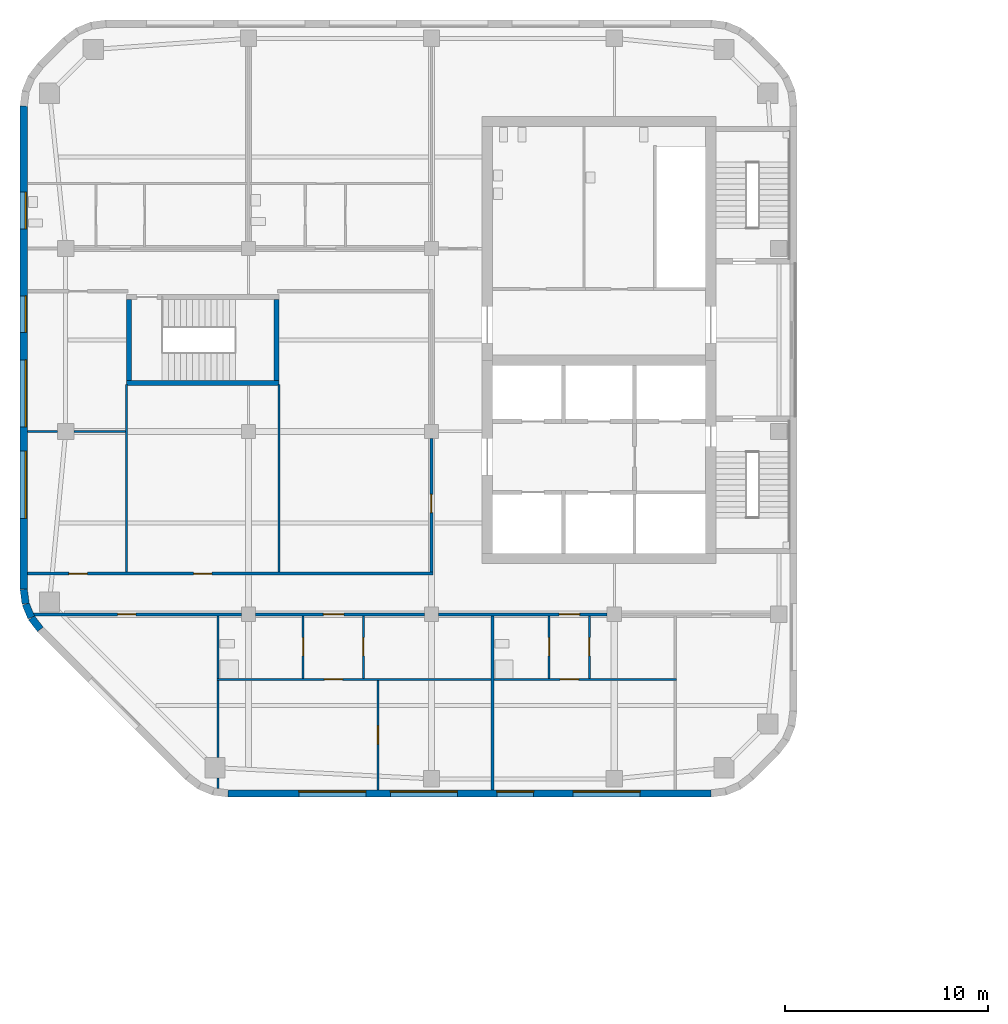
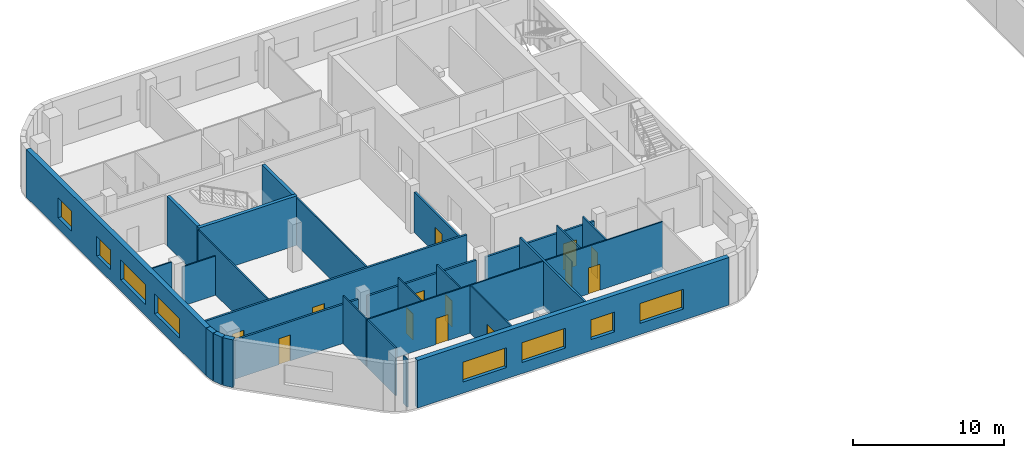
# One storey, part 5 of 15: 28 walls, 13 doors, 8 windows, 21 openings.
"""IFC4 building model written with IfcOpenShell, lengths in metres."""

import ifcopenshell
import ifcopenshell.guid

model = None  # the IFC model being written
_history = None  # IfcOwnerHistory: only IFC2X3 demands one
_inside = {}  # id of a spatial element -> (the spatial element, [elements in it])
_under = {}  # id of a project, library or spatial element -> (it, [spatial elements below it])
_declared = {}  # id of a project -> (the project, [libraries it declares])
_typed = {}  # id of a type object -> (the type object, [elements of that type])
_made_of = {}  # id of a material, layer set ... -> (it, [elements and type objects made of it])


def new_model(schema):
    """Start an empty IFC model of exactly this schema.

    Asked for "IFC4X3", IfcOpenShell would pick the latest addendum, in which some entities
    have other attributes; the version numbers below select the first issue.
    IFC2X3 requires an IfcOwnerHistory on every rooted entity: one is made here for all.
    """
    global model, _history
    if schema == "IFC4X3":
        model = ifcopenshell.file(schema_version=(4, 3, 0, 0))
    else:
        model = ifcopenshell.file(schema=schema)
    _inside.clear()
    _under.clear()
    _declared.clear()
    _typed.clear()
    _made_of.clear()
    _history = None
    if model.schema == "IFC2X3":
        org = make("IfcOrganization", Name="unknown")
        user = make(
            "IfcPersonAndOrganization",
            ThePerson=make("IfcPerson", FamilyName="unknown"),
            TheOrganization=org,
        )
        app = make(
            "IfcApplication",
            ApplicationDeveloper=org,
            Version="unknown",
            ApplicationFullName="unknown",
            ApplicationIdentifier="unknown",
        )
        _history = make(
            "IfcOwnerHistory",
            OwningUser=user,
            OwningApplication=app,
            ChangeAction="ADDED",
            CreationDate=0,
        )
    return model


def make(cls, **values):
    """One entity of the class cls with the attributes given. An attribute that is None is left unset."""
    return model.create_entity(
        cls, **{name: value for name, value in values.items() if value is not None}
    )


def rooted(cls, **values):
    """An entity with a GlobalId (a new one), such as an element, a storey or a relation."""
    return make(cls, GlobalId=ifcopenshell.guid.new(), OwnerHistory=_history, **values)


def si_unit(unit_type, name, prefix=None):
    """IfcSIUnit, for example si_unit("LENGTHUNIT", "METRE", prefix="MILLI")."""
    return make("IfcSIUnit", UnitType=unit_type, Prefix=prefix, Name=name)


def assignment(units):
    """IfcUnitAssignment: the units of a project."""
    return None if units is None else make("IfcUnitAssignment", Units=units)


def point(xyz):
    """IfcCartesianPoint."""
    return None if xyz is None else make("IfcCartesianPoint", Coordinates=xyz)


def direction(xyz):
    """IfcDirection."""
    return None if xyz is None else make("IfcDirection", DirectionRatios=xyz)


def frame(location, z_axis=None, x_axis=None):
    """IfcAxis2Placement3D, a coordinate frame: its origin and axes. An axis left out is left unset."""
    return make(
        "IfcAxis2Placement3D",
        Location=point(location),
        Axis=direction(z_axis),
        RefDirection=direction(x_axis),
    )


def frame_2d(location, x_axis=None):
    """IfcAxis2Placement2D, a coordinate frame in the plane: its origin and x axis."""
    return make(
        "IfcAxis2Placement2D", Location=point(location), RefDirection=direction(x_axis)
    )


def origin():
    """The frame at (0, 0, 0) with its axes left unset."""
    return frame((0.0, 0.0, 0.0))


def place(relative_to, where):
    """IfcLocalPlacement: puts the frame where relative to a parent placement (None: the world)."""
    return make(
        "IfcLocalPlacement", PlacementRelTo=relative_to, RelativePlacement=where
    )


def context(
    kind, dimensions, precision=None, world=None, true_north=None, identifier=None
):
    """IfcGeometricRepresentationContext, for example the 3D "Model" context."""
    return make(
        "IfcGeometricRepresentationContext",
        ContextIdentifier=identifier,
        ContextType=kind,
        CoordinateSpaceDimension=dimensions,
        Precision=precision,
        WorldCoordinateSystem=world,
        TrueNorth=true_north,
    )


def subcontext(parent, identifier, kind, view, scale=None):
    """IfcGeometricRepresentationSubContext, for example "Body" below "Model"."""
    return make(
        "IfcGeometricRepresentationSubContext",
        ContextIdentifier=identifier,
        ContextType=kind,
        ParentContext=parent,
        TargetScale=scale,
        TargetView=view,
    )


def project(units=None, contexts=None):
    """IfcProject with its units and contexts."""
    return rooted(
        "IfcProject",
        Name="project",
        RepresentationContexts=contexts,
        UnitsInContext=assignment(units),
    )


def spatial(cls, under=None, at=None, **own):
    """A site, building, storey or space (cls), placed at a placement, below another one or the project."""
    s = rooted(cls, ObjectPlacement=at, **own)
    if under is not None:
        _under.setdefault(under.id(), (under, []))[1].append(s)
    return s


def profile(cls, at=None, kind="AREA", **sizes):
    """A parametric profile (cls). Its sizes go by their IFC names, for example OverallWidth=200.0."""
    return make(cls, ProfileType=kind, Position=at, **sizes)


def rectangle(**sizes):
    """IfcRectangleProfileDef."""
    return profile("IfcRectangleProfileDef", **sizes)


def extrude(swept, where, along, depth):
    """IfcExtrudedAreaSolid: the profile swept, set in the frame where, extruded along a direction by depth."""
    return make(
        "IfcExtrudedAreaSolid",
        SweptArea=swept,
        Position=where,
        ExtrudedDirection=direction(along),
        Depth=depth,
    )


def shape(context_of_items, identifier, shape_type, items):
    """IfcShapeRepresentation: the items that make up one representation, for example the "Body"."""
    return make(
        "IfcShapeRepresentation",
        ContextOfItems=context_of_items,
        RepresentationIdentifier=identifier,
        RepresentationType=shape_type,
        Items=items,
    )


def material(Name=None, Category=None):
    """IfcMaterial."""
    return make("IfcMaterial", Name=Name, Category=Category)


def layer(
    of_material, thickness, ventilated=None, Name=None, Category=None, Priority=None
):
    """IfcMaterialLayer: one layer of a wall or slab, of a material (None: an air gap)."""
    return make(
        "IfcMaterialLayer",
        Material=of_material,
        LayerThickness=thickness,
        IsVentilated=ventilated,
        Name=Name,
        Category=Category,
        Priority=Priority,
    )


def layer_set(layers, Name=None):
    """IfcMaterialLayerSet."""
    return make("IfcMaterialLayerSet", MaterialLayers=layers, LayerSetName=Name)


def made_of(thing, what):
    """Note that an element or type object is made of a material, layer set ...; save() writes the relation."""
    if what is not None:
        _made_of.setdefault(what.id(), (what, []))[1].append(thing)
    return thing


def type_object(cls, material=None, **own):
    """A type object (cls), such as IfcWallType, which elements share."""
    return made_of(rooted(cls, **own), material)


def element(
    cls,
    number,
    at=None,
    inside=None,
    cuts=None,
    type_object=None,
    material=None,
    context=None,
    identifier="Body",
    shape_type=None,
    held_by="IfcProductDefinitionShape",
    body=None,
    shapes=None,
    **own,
):
    """One element of the class cls, such as IfcWall. Its Tag is "e" and its number.

    at: its placement. inside: the storey or other place that contains it. cuts: it is an
    opening in that element (IfcRelVoidsElement). A single representation is given by context,
    identifier, shape_type and body (its items); several are given by shapes. held_by: the class
    of the entity that holds the representations. save() writes the other relations.
    """
    e = rooted(cls, Tag="e%d" % number, ObjectPlacement=at, **own)
    if body is not None:
        shapes = [shape(context, identifier, shape_type, body)]
    if shapes is not None:
        e.Representation = make(held_by, Representations=shapes)
    if inside is not None:
        _inside.setdefault(inside.id(), (inside, []))[1].append(e)
    if cuts is not None:
        rooted(
            "IfcRelVoidsElement", RelatingBuildingElement=cuts, RelatedOpeningElement=e
        )
    if type_object is not None:
        _typed.setdefault(type_object.id(), (type_object, []))[1].append(e)
    return made_of(e, material)


def fill(opening, filler):
    """IfcRelFillsElement: the door or window that sits in an opening."""
    return rooted(
        "IfcRelFillsElement",
        RelatingOpeningElement=opening,
        RelatedBuildingElement=filler,
    )


def aggregate(whole, parts):
    """IfcRelAggregates: a whole, such as a stair, and the parts it consists of."""
    return rooted("IfcRelAggregates", RelatingObject=whole, RelatedObjects=parts)


def save(model, path):
    """Write the relations noted so far, then the file.

    IfcRelAggregates (storeys below a building ...), IfcRelContainedInSpatialStructure (elements
    in a storey), IfcRelDefinesByType, IfcRelAssociatesMaterial and IfcRelDeclares: one each for
    every whole, place, type object, material and project.
    """
    for whole, parts in _under.values():
        aggregate(whole, parts)
    for where, things in _inside.values():
        rooted(
            "IfcRelContainedInSpatialStructure",
            RelatedElements=things,
            RelatingStructure=where,
        )
    for kind, things in _typed.values():
        rooted("IfcRelDefinesByType", RelatedObjects=things, RelatingType=kind)
    for what, things in _made_of.values():
        rooted("IfcRelAssociatesMaterial", RelatedObjects=things, RelatingMaterial=what)
    for by, libraries in _declared.values():
        rooted("IfcRelDeclares", RelatingContext=by, RelatedDefinitions=libraries)
    model.write(path)


model = new_model("IFC4")

# Units and contexts
model_context = context("Model", 3, precision=1e-05, world=origin(), true_north=direction((0.0, 1.0)))
body_context = subcontext(model_context, "Body", "Model", "MODEL_VIEW")
ifc_project = project(units=[si_unit("LENGTHUNIT", "METRE"), si_unit("AREAUNIT", "SQUARE_METRE"), si_unit("VOLUMEUNIT", "CUBIC_METRE"), si_unit("PLANEANGLEUNIT", "RADIAN"), si_unit("MASSUNIT", "GRAM", prefix="KILO")], contexts=[model_context])

# Site, building, storey
site_placement = place(None, origin())
site = spatial("IfcSite", under=ifc_project, at=site_placement, CompositionType="ELEMENT")
building_placement = place(site_placement, origin())
building = spatial("IfcBuilding", under=site, at=building_placement, Name="Cinnabar Reach Civic Tower", CompositionType="ELEMENT")
storey_placement = place(building_placement, frame((0.0, 0.0, 87.0)))
storey = spatial("IfcBuildingStorey", under=building, at=storey_placement, Name="L20", CompositionType="ELEMENT", Elevation=87.0)

# Walls
ifc_material_1 = material(Name="Facing brick with insulated backing", Category="masonry")
ifc_layer_1 = layer(ifc_material_1, 0.36)
ifc_layer_set_1 = layer_set([ifc_layer_1], Name="Brick corner wall")
wall_type_1 = type_object("IfcWallType", Name="Brick corner wall", PredefinedType="STANDARD", material=ifc_layer_set_1)
for number, where, z_axis, x_axis, name in (
    (1, (-65.067, 19.2314, 0.0), (0.0, 0.0, 1.0), (0.13055608231, -0.99144092581, 0.0), "Brick corner wall"),
    (2, (-64.9681, 18.5027, 0.0), (0.0, 0.0, 1.0), (0.382702709855, -0.923871547278, 0.0), "Brick corner wall"),
):
    element("IfcWall", number, at=place(storey_placement, frame(where, z_axis=z_axis, x_axis=x_axis)), inside=storey, type_object=wall_type_1, Name=name, PredefinedType="STANDARD", context=body_context, shape_type="SweptSolid", body=[
        extrude(rectangle(XDim=0.7131, YDim=0.36, at=frame_2d((0.3565, 0.0))), origin(), (0.0, 0.0, 1.0), 3.85),
    ])
wall_1_placement = place(storey_placement, frame((-64.684, 17.8245, 0.0), z_axis=(0.0, 0.0, 1.0), x_axis=(0.608802368033, -0.793321924995, 0.0)))
element("IfcWall", 3, at=wall_1_placement, inside=storey, type_object=wall_type_1, Name="Brick corner wall", PredefinedType="STANDARD", context=body_context, shape_type="SweptSolid", body=[
    extrude(rectangle(XDim=0.7132, YDim=0.36, at=frame_2d((0.3566, 0.0))), origin(), (0.0, 0.0, 1.0), 3.85),
])

# Wall, openings, windows
ifc_layer_2 = layer(ifc_material_1, 0.36)
ifc_layer_set_2 = layer_set([ifc_layer_2], Name="Brick pier and spandrel wall")
wall_type_2 = type_object("IfcWallType", Name="Brick pier and spandrel wall", PredefinedType="STANDARD", material=ifc_layer_set_2)
wall_2_placement = place(storey_placement, frame((-55.0074, 9.18, 0.0), z_axis=(0.0, 0.0, 1.0), x_axis=(1.0, 0.0, 0.0)))
wall_2 = element("IfcWall", 4, at=wall_2_placement, inside=storey, type_object=wall_type_2, Name="Brick facade wall", PredefinedType="STANDARD", context=body_context, shape_type="SweptSolid", body=[
    extrude(rectangle(XDim=23.7648, YDim=0.36, at=frame_2d((11.8824, 0.0))), origin(), (0.0, 0.0, 1.0), 3.85),
])
opening_1_placement = place(wall_2_placement, frame((3.4824, 0.0, 0.9)))
opening_1 = element("IfcOpeningElement", 5, at=opening_1_placement, cuts=wall_2, Name="Opening W2620", PredefinedType="OPENING", context=body_context, shape_type="SweptSolid", body=[
    extrude(rectangle(XDim=3.3, YDim=1.6, at=frame_2d((1.65, 0.8))), frame((0.0, 0.19, 0.0), z_axis=(0.0, -1.0, 0.0), x_axis=(1.0, 0.0, 0.0)), (0.0, 0.0, 1.0), 0.38),
])
opening_2_placement = place(wall_2_placement, frame((7.9824, 0.0, 0.9)))
opening_2 = element("IfcOpeningElement", 6, at=opening_2_placement, cuts=wall_2, Name="Opening W2621", PredefinedType="OPENING", context=body_context, shape_type="SweptSolid", body=[
    extrude(rectangle(XDim=3.3, YDim=1.6, at=frame_2d((1.65, 0.8))), frame((0.0, 0.19, 0.0), z_axis=(0.0, -1.0, 0.0), x_axis=(1.0, 0.0, 0.0)), (0.0, 0.0, 1.0), 0.38),
])
opening_3_placement = place(wall_2_placement, frame((13.2324, 0.0, 0.9)))
opening_3 = element("IfcOpeningElement", 7, at=opening_3_placement, cuts=wall_2, Name="Opening W2622", PredefinedType="OPENING", context=body_context, shape_type="SweptSolid", body=[
    extrude(rectangle(XDim=1.8, YDim=1.6, at=frame_2d((0.9, 0.8))), frame((0.0, 0.19, 0.0), z_axis=(0.0, -1.0, 0.0), x_axis=(1.0, 0.0, 0.0)), (0.0, 0.0, 1.0), 0.38),
])
opening_4_placement = place(wall_2_placement, frame((16.9824, 0.0, 0.9)))
opening_4 = element("IfcOpeningElement", 8, at=opening_4_placement, cuts=wall_2, Name="Opening W2623", PredefinedType="OPENING", context=body_context, shape_type="SweptSolid", body=[
    extrude(rectangle(XDim=3.3, YDim=1.6, at=frame_2d((1.65, 0.8))), frame((0.0, 0.19, 0.0), z_axis=(0.0, -1.0, 0.0), x_axis=(1.0, 0.0, 0.0)), (0.0, 0.0, 1.0), 0.38),
])
ifc_material_2 = material(Name="Clear double glazing in aluminium frame", Category="aluminium")
window_type_1 = type_object("IfcWindowType", Name="Deep-set window A", PartitioningType="SINGLE_PANEL", PredefinedType="WINDOW", material=ifc_material_2)
window_1_placement = place(opening_1_placement, origin())
window_1 = element("IfcWindow", 9, at=window_1_placement, inside=storey, type_object=window_type_1, Name="Window south face", OverallHeight=1.6, OverallWidth=3.3, PartitioningType="SINGLE_PANEL", PredefinedType="WINDOW", context=body_context, shape_type="SweptSolid", body=[
    extrude(rectangle(XDim=3.3, YDim=1.6, at=frame_2d((1.65, 0.8))), frame((0.0, 0.13, 0.0), z_axis=(0.0, -1.0, 0.0), x_axis=(1.0, 0.0, 0.0)), (0.0, 0.0, 1.0), 0.06),
])
fill(opening_1, window_1)
window_2_placement = place(opening_2_placement, origin())
window_2 = element("IfcWindow", 10, at=window_2_placement, inside=storey, type_object=window_type_1, Name="Window south face", OverallHeight=1.6, OverallWidth=3.3, PartitioningType="SINGLE_PANEL", PredefinedType="WINDOW", context=body_context, shape_type="SweptSolid", body=[
    extrude(rectangle(XDim=3.3, YDim=1.6, at=frame_2d((1.65, 0.8))), frame((0.0, 0.13, 0.0), z_axis=(0.0, -1.0, 0.0), x_axis=(1.0, 0.0, 0.0)), (0.0, 0.0, 1.0), 0.06),
])
fill(opening_2, window_2)
window_3_placement = place(opening_4_placement, origin())
window_3 = element("IfcWindow", 11, at=window_3_placement, inside=storey, type_object=window_type_1, Name="Window south face", OverallHeight=1.6, OverallWidth=3.3, PartitioningType="SINGLE_PANEL", PredefinedType="WINDOW", context=body_context, shape_type="SweptSolid", body=[
    extrude(rectangle(XDim=3.3, YDim=1.6, at=frame_2d((1.65, 0.8))), frame((0.0, 0.13, 0.0), z_axis=(0.0, -1.0, 0.0), x_axis=(1.0, 0.0, 0.0)), (0.0, 0.0, 1.0), 0.06),
])
fill(opening_4, window_3)
window_type_2 = type_object("IfcWindowType", Name="Deep-set window D", PartitioningType="SINGLE_PANEL", PredefinedType="WINDOW", material=ifc_material_2)
window_4_placement = place(opening_3_placement, origin())
window_4 = element("IfcWindow", 12, at=window_4_placement, inside=storey, type_object=window_type_2, Name="Window south face", OverallHeight=1.6, OverallWidth=1.8, PartitioningType="SINGLE_PANEL", PredefinedType="WINDOW", context=body_context, shape_type="SweptSolid", body=[
    extrude(rectangle(XDim=1.8, YDim=1.6, at=frame_2d((0.9, 0.8))), frame((0.0, 0.13, 0.0), z_axis=(0.0, -1.0, 0.0), x_axis=(1.0, 0.0, 0.0)), (0.0, 0.0, 1.0), 0.06),
])
fill(opening_3, window_4)

wall_3_placement = place(storey_placement, frame((-65.07, 43.0074, 0.0), z_axis=(0.0, 0.0, 1.0), x_axis=(0.0, -1.0, 0.0)))
wall_3 = element("IfcWall", 13, at=wall_3_placement, inside=storey, type_object=wall_type_2, Name="Brick facade wall", PredefinedType="STANDARD", context=body_context, shape_type="SweptSolid", body=[
    extrude(rectangle(XDim=23.7648, YDim=0.36, at=frame_2d((11.8824, 0.0))), origin(), (0.0, 0.0, 1.0), 3.85),
])
opening_5_placement = place(wall_3_placement, frame((4.2324, 0.0, 0.9)))
opening_5 = element("IfcOpeningElement", 14, at=opening_5_placement, cuts=wall_3, Name="Opening W2632", PredefinedType="OPENING", context=body_context, shape_type="SweptSolid", body=[
    extrude(rectangle(XDim=1.8, YDim=1.6, at=frame_2d((0.9, 0.8))), frame((0.0, 0.19, 0.0), z_axis=(0.0, -1.0, 0.0), x_axis=(1.0, 0.0, 0.0)), (0.0, 0.0, 1.0), 0.38),
])
opening_6_placement = place(wall_3_placement, frame((9.3324, 0.0, 0.9)))
opening_6 = element("IfcOpeningElement", 15, at=opening_6_placement, cuts=wall_3, Name="Opening W2633", PredefinedType="OPENING", context=body_context, shape_type="SweptSolid", body=[
    extrude(rectangle(XDim=1.8, YDim=1.6, at=frame_2d((0.9, 0.8))), frame((0.0, 0.19, 0.0), z_axis=(0.0, -1.0, 0.0), x_axis=(1.0, 0.0, 0.0)), (0.0, 0.0, 1.0), 0.38),
])
opening_7_placement = place(wall_3_placement, frame((12.4824, 0.0, 0.9)))
opening_7 = element("IfcOpeningElement", 16, at=opening_7_placement, cuts=wall_3, Name="Opening W2634", PredefinedType="OPENING", context=body_context, shape_type="SweptSolid", body=[
    extrude(rectangle(XDim=3.3, YDim=1.6, at=frame_2d((1.65, 0.8))), frame((0.0, 0.19, 0.0), z_axis=(0.0, -1.0, 0.0), x_axis=(1.0, 0.0, 0.0)), (0.0, 0.0, 1.0), 0.38),
])
opening_8_placement = place(wall_3_placement, frame((16.9824, 0.0, 0.9)))
opening_8 = element("IfcOpeningElement", 17, at=opening_8_placement, cuts=wall_3, Name="Opening W2635", PredefinedType="OPENING", context=body_context, shape_type="SweptSolid", body=[
    extrude(rectangle(XDim=3.3, YDim=1.6, at=frame_2d((1.65, 0.8))), frame((0.0, 0.19, 0.0), z_axis=(0.0, -1.0, 0.0), x_axis=(1.0, 0.0, 0.0)), (0.0, 0.0, 1.0), 0.38),
])
window_5_placement = place(opening_7_placement, origin())
window_5 = element("IfcWindow", 18, at=window_5_placement, inside=storey, type_object=window_type_1, Name="Window west face", OverallHeight=1.6, OverallWidth=3.3, PartitioningType="SINGLE_PANEL", PredefinedType="WINDOW", context=body_context, shape_type="SweptSolid", body=[
    extrude(rectangle(XDim=3.3, YDim=1.6, at=frame_2d((1.65, 0.8))), frame((0.0, 0.13, 0.0), z_axis=(0.0, -1.0, 0.0), x_axis=(1.0, 0.0, 0.0)), (0.0, 0.0, 1.0), 0.06),
])
fill(opening_7, window_5)
window_6_placement = place(opening_8_placement, origin())
window_6 = element("IfcWindow", 19, at=window_6_placement, inside=storey, type_object=window_type_1, Name="Window west face", OverallHeight=1.6, OverallWidth=3.3, PartitioningType="SINGLE_PANEL", PredefinedType="WINDOW", context=body_context, shape_type="SweptSolid", body=[
    extrude(rectangle(XDim=3.3, YDim=1.6, at=frame_2d((1.65, 0.8))), frame((0.0, 0.13, 0.0), z_axis=(0.0, -1.0, 0.0), x_axis=(1.0, 0.0, 0.0)), (0.0, 0.0, 1.0), 0.06),
])
fill(opening_8, window_6)
window_7_placement = place(opening_5_placement, origin())
window_7 = element("IfcWindow", 20, at=window_7_placement, inside=storey, type_object=window_type_2, Name="Window west face", OverallHeight=1.6, OverallWidth=1.8, PartitioningType="SINGLE_PANEL", PredefinedType="WINDOW", context=body_context, shape_type="SweptSolid", body=[
    extrude(rectangle(XDim=1.8, YDim=1.6, at=frame_2d((0.9, 0.8))), frame((0.0, 0.13, 0.0), z_axis=(0.0, -1.0, 0.0), x_axis=(1.0, 0.0, 0.0)), (0.0, 0.0, 1.0), 0.06),
])
fill(opening_5, window_7)
window_8_placement = place(opening_6_placement, origin())
window_8 = element("IfcWindow", 21, at=window_8_placement, inside=storey, type_object=window_type_2, Name="Window west face", OverallHeight=1.6, OverallWidth=1.8, PartitioningType="SINGLE_PANEL", PredefinedType="WINDOW", context=body_context, shape_type="SweptSolid", body=[
    extrude(rectangle(XDim=1.8, YDim=1.6, at=frame_2d((0.9, 0.8))), frame((0.0, 0.13, 0.0), z_axis=(0.0, -1.0, 0.0), x_axis=(1.0, 0.0, 0.0)), (0.0, 0.0, 1.0), 0.06),
])
fill(opening_6, window_8)

# Wall, opening, door
ifc_material_3 = material(Name="Gypsum board on steel studs, double layer", Category="steel")
ifc_layer_3 = layer(ifc_material_3, 0.15)
ifc_layer_set_3 = layer_set([ifc_layer_3], Name="Corridor wall 150 T2")
wall_type_3 = type_object("IfcWallType", Name="Corridor wall 150 T2", PredefinedType="PARTITIONING", material=ifc_layer_set_3)
wall_4_placement = place(storey_placement, frame((-44.65, 18.0, 0.0), z_axis=(0.0, 0.0, 1.0), x_axis=(1.0, 0.0, 0.0)))
wall_4 = element("IfcWall", 22, at=wall_4_placement, inside=storey, type_object=wall_type_3, Name="Corridor wall 2", PredefinedType="PARTITIONING", context=body_context, shape_type="SweptSolid", body=[
    extrude(rectangle(XDim=8.3, YDim=0.15, at=frame_2d((4.15, 0.0))), origin(), (0.0, 0.0, 1.0), 3.158),
])
opening_9_placement = place(wall_4_placement, frame((5.94, 0.0, 0.0)))
opening_9 = element("IfcOpeningElement", 23, at=opening_9_placement, cuts=wall_4, Name="Opening D6772", PredefinedType="OPENING", context=body_context, shape_type="SweptSolid", body=[
    extrude(rectangle(XDim=1.0, YDim=2.1, at=frame_2d((0.5, 1.05))), frame((0.0, 0.085, 0.0), z_axis=(0.0, -1.0, 0.0), x_axis=(1.0, 0.0, 0.0)), (0.0, 0.0, 1.0), 0.17),
])
ifc_material_4 = material(Name="Timber door leaf in steel frame", Category="steel")
door_type_1 = type_object("IfcDoorType", Name="Tenancy entrance door 1000 x 2100 T2", OperationType="SINGLE_SWING_LEFT", PredefinedType="DOOR", material=ifc_material_4)
door_1_placement = place(opening_9_placement, frame((1.0, 0.0, 0.0), z_axis=(0.0, 0.0, 1.0), x_axis=(-1.0, 0.0, 0.0)))
door_1 = element("IfcDoor", 24, at=door_1_placement, inside=storey, type_object=door_type_1, Name="Door D6772", OperationType="SINGLE_SWING_RIGHT", OverallHeight=2.1, OverallWidth=1.0, PredefinedType="DOOR", context=body_context, shape_type="SweptSolid", body=[
    extrude(rectangle(XDim=1.0, YDim=2.1, at=frame_2d((0.5, 1.05))), frame((0.0, 0.025, 0.0), z_axis=(0.0, -1.0, 0.0), x_axis=(1.0, 0.0, 0.0)), (0.0, 0.0, 1.0), 0.05),
])
fill(opening_9, door_1)

wall_5_placement = place(storey_placement, frame((-53.65, 18.0, 0.0), z_axis=(0.0, 0.0, 1.0), x_axis=(1.0, 0.0, 0.0)))
wall_5 = element("IfcWall", 25, at=wall_5_placement, inside=storey, type_object=wall_type_3, Name="Corridor wall 3", PredefinedType="PARTITIONING", context=body_context, shape_type="SweptSolid", body=[
    extrude(rectangle(XDim=8.3, YDim=0.15, at=frame_2d((4.15, 0.0))), origin(), (0.0, 0.0, 1.0), 3.158),
])
opening_10_placement = place(wall_5_placement, frame((3.335, 0.0, 0.0)))
opening_10 = element("IfcOpeningElement", 26, at=opening_10_placement, cuts=wall_5, Name="Opening D6768", PredefinedType="OPENING", context=body_context, shape_type="SweptSolid", body=[
    extrude(rectangle(XDim=1.0, YDim=2.1, at=frame_2d((0.5, 1.05))), frame((0.0, 0.085, 0.0), z_axis=(0.0, -1.0, 0.0), x_axis=(1.0, 0.0, 0.0)), (0.0, 0.0, 1.0), 0.17),
])
door_2_placement = place(opening_10_placement, frame((1.0, 0.0, 0.0), z_axis=(0.0, 0.0, 1.0), x_axis=(-1.0, 0.0, 0.0)))
door_2 = element("IfcDoor", 27, at=door_2_placement, inside=storey, type_object=door_type_1, Name="Door D6768", OperationType="SINGLE_SWING_LEFT", OverallHeight=2.1, OverallWidth=1.0, PredefinedType="DOOR", context=body_context, shape_type="SweptSolid", body=[
    extrude(rectangle(XDim=1.0, YDim=2.1, at=frame_2d((0.5, 1.05))), frame((0.0, 0.025, 0.0), z_axis=(0.0, -1.0, 0.0), x_axis=(1.0, 0.0, 0.0)), (0.0, 0.0, 1.0), 0.05),
])
fill(opening_10, door_2)

wall_6_placement = place(storey_placement, frame((-64.5961, 18.0, 0.0), z_axis=(0.0, 0.0, 1.0), x_axis=(1.0, 0.0, 0.0)))
wall_6 = element("IfcWall", 28, at=wall_6_placement, inside=storey, type_object=wall_type_3, Name="Corridor wall 4", PredefinedType="PARTITIONING", context=body_context, shape_type="SweptSolid", body=[
    extrude(rectangle(XDim=10.2461, YDim=0.15, at=frame_2d((5.1231, 0.0))), origin(), (0.0, 0.0, 1.0), 3.158),
])
opening_11_placement = place(wall_6_placement, frame((4.15, 0.0, 0.0)))
opening_11 = element("IfcOpeningElement", 29, at=opening_11_placement, cuts=wall_6, Name="Opening D6763", PredefinedType="OPENING", context=body_context, shape_type="SweptSolid", body=[
    extrude(rectangle(XDim=0.9, YDim=2.1, at=frame_2d((0.45, 1.05))), frame((0.0, 0.085, 0.0), z_axis=(0.0, -1.0, 0.0), x_axis=(1.0, 0.0, 0.0)), (0.0, 0.0, 1.0), 0.17),
])
door_type_2 = type_object("IfcDoorType", Name="Single swing door 900 x 2100 T2", OperationType="SINGLE_SWING_LEFT", PredefinedType="DOOR", material=ifc_material_4)
door_3_placement = place(opening_11_placement, frame((0.9, 0.0, 0.0), z_axis=(0.0, 0.0, 1.0), x_axis=(-1.0, 0.0, 0.0)))
door_3 = element("IfcDoor", 30, at=door_3_placement, inside=storey, type_object=door_type_2, Name="Door D6763", OperationType="SINGLE_SWING_LEFT", OverallHeight=2.1, OverallWidth=0.9, PredefinedType="DOOR", context=body_context, shape_type="SweptSolid", body=[
    extrude(rectangle(XDim=0.9, YDim=2.1, at=frame_2d((0.45, 1.05))), frame((0.0, 0.025, 0.0), z_axis=(0.0, -1.0, 0.0), x_axis=(1.0, 0.0, 0.0)), (0.0, 0.0, 1.0), 0.05),
])
fill(opening_11, door_3)

# Wall, openings, doors
wall_7_placement = place(storey_placement, frame((-64.89, 20.0, 0.0), z_axis=(0.0, 0.0, 1.0), x_axis=(1.0, 0.0, 0.0)))
wall_7 = element("IfcWall", 31, at=wall_7_placement, inside=storey, type_object=wall_type_3, Name="Corridor wall 9", PredefinedType="PARTITIONING", context=body_context, shape_type="SweptSolid", body=[
    extrude(rectangle(XDim=19.965, YDim=0.15, at=frame_2d((9.9825, 0.0))), origin(), (0.0, 0.0, 1.0), 3.85),
])
opening_12_placement = place(wall_7_placement, frame((2.05, 0.0, 0.0)))
opening_12 = element("IfcOpeningElement", 32, at=opening_12_placement, cuts=wall_7, Name="Opening D6782", PredefinedType="OPENING", context=body_context, shape_type="SweptSolid", body=[
    extrude(rectangle(XDim=0.9, YDim=2.1, at=frame_2d((0.45, 1.05))), frame((0.0, 0.085, 0.0), z_axis=(0.0, -1.0, 0.0), x_axis=(1.0, 0.0, 0.0)), (0.0, 0.0, 1.0), 0.17),
])
opening_13_placement = place(wall_7_placement, frame((8.19, 0.0, 0.0)))
opening_13 = element("IfcOpeningElement", 33, at=opening_13_placement, cuts=wall_7, Name="Opening D6784", PredefinedType="OPENING", context=body_context, shape_type="SweptSolid", body=[
    extrude(rectangle(XDim=0.9, YDim=2.1, at=frame_2d((0.45, 1.05))), frame((0.0, 0.085, 0.0), z_axis=(0.0, -1.0, 0.0), x_axis=(1.0, 0.0, 0.0)), (0.0, 0.0, 1.0), 0.17),
])
door_4_placement = place(opening_12_placement, origin())
door_4 = element("IfcDoor", 34, at=door_4_placement, inside=storey, type_object=door_type_2, Name="Door D6782", OperationType="SINGLE_SWING_RIGHT", OverallHeight=2.1, OverallWidth=0.9, PredefinedType="DOOR", context=body_context, shape_type="SweptSolid", body=[
    extrude(rectangle(XDim=0.9, YDim=2.1, at=frame_2d((0.45, 1.05))), frame((0.0, 0.025, 0.0), z_axis=(0.0, -1.0, 0.0), x_axis=(1.0, 0.0, 0.0)), (0.0, 0.0, 1.0), 0.05),
])
fill(opening_12, door_4)
door_5_placement = place(opening_13_placement, origin())
door_5 = element("IfcDoor", 35, at=door_5_placement, inside=storey, type_object=door_type_2, Name="Door D6784", OperationType="SINGLE_SWING_LEFT", OverallHeight=2.1, OverallWidth=0.9, PredefinedType="DOOR", context=body_context, shape_type="SweptSolid", body=[
    extrude(rectangle(XDim=0.9, YDim=2.1, at=frame_2d((0.45, 1.05))), frame((0.0, 0.025, 0.0), z_axis=(0.0, -1.0, 0.0), x_axis=(1.0, 0.0, 0.0)), (0.0, 0.0, 1.0), 0.05),
])
fill(opening_13, door_5)

# Wall, opening, door
wall_8_placement = place(storey_placement, frame((-45.0, 20.075, 0.0), z_axis=(0.0, 0.0, 1.0), x_axis=(0.0, 1.0, 0.0)))
wall_8 = element("IfcWall", 36, at=wall_8_placement, inside=storey, type_object=wall_type_3, Name="Corridor wall 10", PredefinedType="PARTITIONING", context=body_context, shape_type="SweptSolid", body=[
    extrude(rectangle(XDim=6.575, YDim=0.15, at=frame_2d((3.2875, 0.0))), origin(), (0.0, 0.0, 1.0), 3.256),
])
opening_14_placement = place(wall_8_placement, frame((2.925, 0.0, 0.0)))
opening_14 = element("IfcOpeningElement", 37, at=opening_14_placement, cuts=wall_8, Name="Opening D6785", PredefinedType="OPENING", context=body_context, shape_type="SweptSolid", body=[
    extrude(rectangle(XDim=0.9, YDim=2.1, at=frame_2d((0.45, 1.05))), frame((0.0, 0.085, 0.0), z_axis=(0.0, -1.0, 0.0), x_axis=(1.0, 0.0, 0.0)), (0.0, 0.0, 1.0), 0.17),
])
door_6_placement = place(opening_14_placement, origin())
door_6 = element("IfcDoor", 38, at=door_6_placement, inside=storey, type_object=door_type_2, Name="Door D6785", OperationType="SINGLE_SWING_LEFT", OverallHeight=2.1, OverallWidth=0.9, PredefinedType="DOOR", context=body_context, shape_type="SweptSolid", body=[
    extrude(rectangle(XDim=0.9, YDim=2.1, at=frame_2d((0.45, 1.05))), frame((0.0, 0.025, 0.0), z_axis=(0.0, -1.0, 0.0), x_axis=(1.0, 0.0, 0.0)), (0.0, 0.0, 1.0), 0.05),
])
fill(opening_14, door_6)

ifc_material_5 = material(Name="Gypsum board on steel studs", Category="steel")
ifc_layer_4 = layer(ifc_material_5, 0.1)
ifc_layer_set_4 = layer_set([ifc_layer_4], Name="Partition wall 100 T2")
wall_type_4 = type_object("IfcWallType", Name="Partition wall 100 T2", PredefinedType="PARTITIONING", material=ifc_layer_set_4)
wall_9_placement = place(storey_placement, frame((-55.55, 14.8, 0.0), z_axis=(0.0, 0.0, 1.0), x_axis=(1.0, 0.0, 0.0)))
wall_9 = element("IfcWall", 39, at=wall_9_placement, inside=storey, type_object=wall_type_4, Name="Partition wall 16", PredefinedType="PARTITIONING", context=body_context, shape_type="SweptSolid", body=[
    extrude(rectangle(XDim=13.475, YDim=0.1, at=frame_2d((6.7375, 0.0))), origin(), (0.0, 0.0, 1.0), 3.85),
])
opening_15_placement = place(wall_9_placement, frame((5.285, 0.0, 0.0)))
opening_15 = element("IfcOpeningElement", 40, at=opening_15_placement, cuts=wall_9, Name="Opening D6766", PredefinedType="OPENING", context=body_context, shape_type="SweptSolid", body=[
    extrude(rectangle(XDim=0.9, YDim=2.1, at=frame_2d((0.45, 1.05))), frame((0.0, 0.06, 0.0), z_axis=(0.0, -1.0, 0.0), x_axis=(1.0, 0.0, 0.0)), (0.0, 0.0, 1.0), 0.12),
])
door_7_placement = place(opening_15_placement, origin())
door_7 = element("IfcDoor", 41, at=door_7_placement, inside=storey, type_object=door_type_2, Name="Door D6766", OperationType="SINGLE_SWING_LEFT", OverallHeight=2.1, OverallWidth=0.9, PredefinedType="DOOR", context=body_context, shape_type="SweptSolid", body=[
    extrude(rectangle(XDim=0.9, YDim=2.1, at=frame_2d((0.45, 1.05))), frame((0.0, 0.025, 0.0), z_axis=(0.0, -1.0, 0.0), x_axis=(1.0, 0.0, 0.0)), (0.0, 0.0, 1.0), 0.05),
])
fill(opening_15, door_7)

wall_10_placement = place(storey_placement, frame((-41.925, 14.8, 0.0), z_axis=(0.0, 0.0, 1.0), x_axis=(1.0, 0.0, 0.0)))
wall_10 = element("IfcWall", 42, at=wall_10_placement, inside=storey, type_object=wall_type_4, Name="Partition wall 17", PredefinedType="PARTITIONING", context=body_context, shape_type="SweptSolid", body=[
    extrude(rectangle(XDim=8.975, YDim=0.1, at=frame_2d((4.4875, 0.0))), origin(), (0.0, 0.0, 1.0), 3.85),
])
opening_16_placement = place(wall_10_placement, frame((3.265, 0.0, 0.0)))
opening_16 = element("IfcOpeningElement", 43, at=opening_16_placement, cuts=wall_10, Name="Opening D6771", PredefinedType="OPENING", context=body_context, shape_type="SweptSolid", body=[
    extrude(rectangle(XDim=0.9, YDim=2.1, at=frame_2d((0.45, 1.05))), frame((0.0, 0.06, 0.0), z_axis=(0.0, -1.0, 0.0), x_axis=(1.0, 0.0, 0.0)), (0.0, 0.0, 1.0), 0.12),
])
door_8_placement = place(opening_16_placement, origin())
door_8 = element("IfcDoor", 44, at=door_8_placement, inside=storey, type_object=door_type_2, Name="Door D6771", OperationType="SINGLE_SWING_RIGHT", OverallHeight=2.1, OverallWidth=0.9, PredefinedType="DOOR", context=body_context, shape_type="SweptSolid", body=[
    extrude(rectangle(XDim=0.9, YDim=2.1, at=frame_2d((0.45, 1.05))), frame((0.0, 0.025, 0.0), z_axis=(0.0, -1.0, 0.0), x_axis=(1.0, 0.0, 0.0)), (0.0, 0.0, 1.0), 0.05),
])
fill(opening_16, door_8)

# Walls
for number, where, z_axis, x_axis, name in (
    (45, (-60.0, 20.075, 0.0), (0.0, 0.0, 1.0), (0.0, 1.0, 0.0), "Partition wall 22"),
    (46, (-52.5, 20.075, 0.0), (0.0, 0.0, 1.0), (0.0, 1.0, 0.0), "Partition wall 23"),
):
    element("IfcWall", number, at=place(storey_placement, frame(where, z_axis=z_axis, x_axis=x_axis)), inside=storey, type_object=wall_type_4, Name=name, PredefinedType="PARTITIONING", context=body_context, shape_type="SweptSolid", body=[
        extrude(rectangle(XDim=9.225, YDim=0.1, at=frame_2d((4.6125, 0.0))), origin(), (0.0, 0.0, 1.0), 3.85),
    ])
wall_11_placement = place(storey_placement, frame((-55.5, 14.85, 0.0), z_axis=(0.0, 0.0, 1.0), x_axis=(0.0, 1.0, 0.0)))
element("IfcWall", 47, at=wall_11_placement, inside=storey, type_object=wall_type_4, Name="Partition wall 26", PredefinedType="PARTITIONING", context=body_context, shape_type="SweptSolid", body=[
    extrude(rectangle(XDim=3.075, YDim=0.1, at=frame_2d((1.5375, 0.0))), origin(), (0.0, 0.0, 1.0), 3.85),
])
wall_12_placement = place(storey_placement, frame((-55.5, 10.9531, 0.0), z_axis=(0.0, 0.0, 1.0), x_axis=(0.0, 1.0, 0.0)))
element("IfcWall", 48, at=wall_12_placement, inside=storey, type_object=wall_type_4, Name="Partition wall 27", PredefinedType="PARTITIONING", context=body_context, shape_type="SweptSolid", body=[
    extrude(rectangle(XDim=3.7969, YDim=0.1, at=frame_2d((1.8984, 0.0))), origin(), (0.0, 0.0, 1.0), 3.85),
])
wall_13_placement = place(storey_placement, frame((-55.5, 9.428, 0.0), z_axis=(0.0, 0.0, 1.0), x_axis=(0.0, 1.0, 0.0)))
element("IfcWall", 49, at=wall_13_placement, inside=storey, type_object=wall_type_4, Name="Partition wall 28", PredefinedType="PARTITIONING", context=body_context, shape_type="SweptSolid", body=[
    extrude(rectangle(XDim=0.5251, YDim=0.1, at=frame_2d((0.2626, 0.0))), origin(), (0.0, 0.0, 1.0), 3.85),
])

# Wall, opening, door
wall_14_placement = place(storey_placement, frame((-47.63, 9.36, 0.0), z_axis=(0.0, 0.0, 1.0), x_axis=(0.0, 1.0, 0.0)))
wall_14 = element("IfcWall", 50, at=wall_14_placement, inside=storey, type_object=wall_type_4, Name="Partition wall 29", PredefinedType="PARTITIONING", context=body_context, shape_type="SweptSolid", body=[
    extrude(rectangle(XDim=5.39, YDim=0.1, at=frame_2d((2.695, 0.0))), origin(), (0.0, 0.0, 1.0), 3.85),
])
opening_17_placement = place(wall_14_placement, frame((2.25, 0.0, 0.0)))
opening_17 = element("IfcOpeningElement", 51, at=opening_17_placement, cuts=wall_14, Name="Opening D6767", PredefinedType="OPENING", context=body_context, shape_type="SweptSolid", body=[
    extrude(rectangle(XDim=0.9, YDim=2.1, at=frame_2d((0.45, 1.05))), frame((0.0, 0.06, 0.0), z_axis=(0.0, -1.0, 0.0), x_axis=(1.0, 0.0, 0.0)), (0.0, 0.0, 1.0), 0.12),
])
door_9_placement = place(opening_17_placement, frame((0.9, 0.0, 0.0), z_axis=(0.0, 0.0, 1.0), x_axis=(-1.0, 0.0, 0.0)))
door_9 = element("IfcDoor", 52, at=door_9_placement, inside=storey, type_object=door_type_2, Name="Door D6767", OperationType="SINGLE_SWING_RIGHT", OverallHeight=2.1, OverallWidth=0.9, PredefinedType="DOOR", context=body_context, shape_type="SweptSolid", body=[
    extrude(rectangle(XDim=0.9, YDim=2.1, at=frame_2d((0.45, 1.05))), frame((0.0, 0.025, 0.0), z_axis=(0.0, -1.0, 0.0), x_axis=(1.0, 0.0, 0.0)), (0.0, 0.0, 1.0), 0.05),
])
fill(opening_17, door_9)

# Walls
wall_15_placement = place(storey_placement, frame((-62.6, 27.0, 0.0), z_axis=(0.0, 0.0, 1.0), x_axis=(1.0, 0.0, 0.0)))
element("IfcWall", 53, at=wall_15_placement, inside=storey, type_object=wall_type_4, Name="Partition wall 30", PredefinedType="PARTITIONING", context=body_context, shape_type="SweptSolid", body=[
    extrude(rectangle(XDim=2.55, YDim=0.1, at=frame_2d((1.275, 0.0))), origin(), (0.0, 0.0, 1.0), 3.158),
])
wall_16_placement = place(storey_placement, frame((-64.89, 27.0, 0.0), z_axis=(0.0, 0.0, 1.0), x_axis=(1.0, 0.0, 0.0)))
element("IfcWall", 54, at=wall_16_placement, inside=storey, type_object=wall_type_4, Name="Partition wall 31", PredefinedType="PARTITIONING", context=body_context, shape_type="SweptSolid", body=[
    extrude(rectangle(XDim=1.49, YDim=0.1, at=frame_2d((0.745, 0.0))), origin(), (0.0, 0.0, 1.0), 3.85),
])

# Wall, opening, door
wall_17_placement = place(storey_placement, frame((-51.315, 14.85, 0.0), z_axis=(0.0, 0.0, 1.0), x_axis=(0.0, 1.0, 0.0)))
wall_17 = element("IfcWall", 55, at=wall_17_placement, inside=storey, type_object=wall_type_4, Name="Partition wall 36", PredefinedType="PARTITIONING", context=body_context, shape_type="SweptSolid", body=[
    extrude(rectangle(XDim=3.075, YDim=0.1, at=frame_2d((1.5375, 0.0))), origin(), (0.0, 0.0, 1.0), 3.85),
])
opening_18_placement = place(wall_17_placement, frame((1.1, 0.0, 0.0)))
opening_18 = element("IfcOpeningElement", 56, at=opening_18_placement, cuts=wall_17, Name="Opening D6764", PredefinedType="OPENING", context=body_context, shape_type="SweptSolid", body=[
    extrude(rectangle(XDim=0.9, YDim=2.1, at=frame_2d((0.45, 1.05))), frame((0.0, 0.06, 0.0), z_axis=(0.0, -1.0, 0.0), x_axis=(1.0, 0.0, 0.0)), (0.0, 0.0, 1.0), 0.12),
])
door_10_placement = place(opening_18_placement, origin())
door_10 = element("IfcDoor", 57, at=door_10_placement, inside=storey, type_object=door_type_2, Name="Door D6764", OperationType="SINGLE_SWING_LEFT", OverallHeight=2.1, OverallWidth=0.9, PredefinedType="DOOR", context=body_context, shape_type="SweptSolid", body=[
    extrude(rectangle(XDim=0.9, YDim=2.1, at=frame_2d((0.45, 1.05))), frame((0.0, 0.025, 0.0), z_axis=(0.0, -1.0, 0.0), x_axis=(1.0, 0.0, 0.0)), (0.0, 0.0, 1.0), 0.05),
])
fill(opening_18, door_10)

wall_18_placement = place(storey_placement, frame((-48.345, 14.85, 0.0), z_axis=(0.0, 0.0, 1.0), x_axis=(0.0, 1.0, 0.0)))
wall_18 = element("IfcWall", 58, at=wall_18_placement, inside=storey, type_object=wall_type_4, Name="Partition wall 37", PredefinedType="PARTITIONING", context=body_context, shape_type="SweptSolid", body=[
    extrude(rectangle(XDim=3.075, YDim=0.1, at=frame_2d((1.5375, 0.0))), origin(), (0.0, 0.0, 1.0), 3.85),
])
opening_19_placement = place(wall_18_placement, frame((1.1, 0.0, 0.0)))
opening_19 = element("IfcOpeningElement", 59, at=opening_19_placement, cuts=wall_18, Name="Opening D6765", PredefinedType="OPENING", context=body_context, shape_type="SweptSolid", body=[
    extrude(rectangle(XDim=0.9, YDim=2.1, at=frame_2d((0.45, 1.05))), frame((0.0, 0.06, 0.0), z_axis=(0.0, -1.0, 0.0), x_axis=(1.0, 0.0, 0.0)), (0.0, 0.0, 1.0), 0.12),
])
door_11_placement = place(opening_19_placement, origin())
door_11 = element("IfcDoor", 60, at=door_11_placement, inside=storey, type_object=door_type_2, Name="Door D6765", OperationType="SINGLE_SWING_RIGHT", OverallHeight=2.1, OverallWidth=0.9, PredefinedType="DOOR", context=body_context, shape_type="SweptSolid", body=[
    extrude(rectangle(XDim=0.9, YDim=2.1, at=frame_2d((0.45, 1.05))), frame((0.0, 0.025, 0.0), z_axis=(0.0, -1.0, 0.0), x_axis=(1.0, 0.0, 0.0)), (0.0, 0.0, 1.0), 0.05),
])
fill(opening_19, door_11)

wall_19_placement = place(storey_placement, frame((-39.21, 14.85, 0.0), z_axis=(0.0, 0.0, 1.0), x_axis=(0.0, 1.0, 0.0)))
wall_19 = element("IfcWall", 61, at=wall_19_placement, inside=storey, type_object=wall_type_4, Name="Partition wall 38", PredefinedType="PARTITIONING", context=body_context, shape_type="SweptSolid", body=[
    extrude(rectangle(XDim=3.075, YDim=0.1, at=frame_2d((1.5375, 0.0))), origin(), (0.0, 0.0, 1.0), 3.85),
])
opening_20_placement = place(wall_19_placement, frame((1.1, 0.0, 0.0)))
opening_20 = element("IfcOpeningElement", 62, at=opening_20_placement, cuts=wall_19, Name="Opening D6769", PredefinedType="OPENING", context=body_context, shape_type="SweptSolid", body=[
    extrude(rectangle(XDim=0.9, YDim=2.1, at=frame_2d((0.45, 1.05))), frame((0.0, 0.06, 0.0), z_axis=(0.0, -1.0, 0.0), x_axis=(1.0, 0.0, 0.0)), (0.0, 0.0, 1.0), 0.12),
])
door_12_placement = place(opening_20_placement, origin())
door_12 = element("IfcDoor", 63, at=door_12_placement, inside=storey, type_object=door_type_2, Name="Door D6769", OperationType="SINGLE_SWING_RIGHT", OverallHeight=2.1, OverallWidth=0.9, PredefinedType="DOOR", context=body_context, shape_type="SweptSolid", body=[
    extrude(rectangle(XDim=0.9, YDim=2.1, at=frame_2d((0.45, 1.05))), frame((0.0, 0.025, 0.0), z_axis=(0.0, -1.0, 0.0), x_axis=(1.0, 0.0, 0.0)), (0.0, 0.0, 1.0), 0.05),
])
fill(opening_20, door_12)

wall_20_placement = place(storey_placement, frame((-37.23, 14.85, 0.0), z_axis=(0.0, 0.0, 1.0), x_axis=(0.0, 1.0, 0.0)))
wall_20 = element("IfcWall", 64, at=wall_20_placement, inside=storey, type_object=wall_type_4, Name="Partition wall 39", PredefinedType="PARTITIONING", context=body_context, shape_type="SweptSolid", body=[
    extrude(rectangle(XDim=3.075, YDim=0.1, at=frame_2d((1.5375, 0.0))), origin(), (0.0, 0.0, 1.0), 3.85),
])
opening_21_placement = place(wall_20_placement, frame((1.1, 0.0, 0.0)))
opening_21 = element("IfcOpeningElement", 65, at=opening_21_placement, cuts=wall_20, Name="Opening D6770", PredefinedType="OPENING", context=body_context, shape_type="SweptSolid", body=[
    extrude(rectangle(XDim=0.9, YDim=2.1, at=frame_2d((0.45, 1.05))), frame((0.0, 0.06, 0.0), z_axis=(0.0, -1.0, 0.0), x_axis=(1.0, 0.0, 0.0)), (0.0, 0.0, 1.0), 0.12),
])
door_13_placement = place(opening_21_placement, origin())
door_13 = element("IfcDoor", 66, at=door_13_placement, inside=storey, type_object=door_type_2, Name="Door D6770", OperationType="SINGLE_SWING_LEFT", OverallHeight=2.1, OverallWidth=0.9, PredefinedType="DOOR", context=body_context, shape_type="SweptSolid", body=[
    extrude(rectangle(XDim=0.9, YDim=2.1, at=frame_2d((0.45, 1.05))), frame((0.0, 0.025, 0.0), z_axis=(0.0, -1.0, 0.0), x_axis=(1.0, 0.0, 0.0)), (0.0, 0.0, 1.0), 0.05),
])
fill(opening_21, door_13)

# Walls
ifc_material_6 = material(Name="Concrete C60", Category="concrete")
ifc_layer_5 = layer(ifc_material_6, 0.25)
ifc_layer_set_5 = layer_set([ifc_layer_5], Name="Stair shaft wall 250 EI 120")
wall_type_5 = type_object("IfcWallType", Name="Stair shaft wall 250 EI 120", PredefinedType="SOLIDWALL", material=ifc_layer_set_5)
wall_21_placement = place(storey_placement, frame((-60.0, 29.375, 0.0), z_axis=(0.0, 0.0, 1.0), x_axis=(1.0, 0.0, 0.0)))
element("IfcWall", 67, at=wall_21_placement, inside=storey, type_object=wall_type_5, Name="Stair shaft wall T2-S3 L20", PredefinedType="SOLIDWALL", context=body_context, shape_type="SweptSolid", body=[
    extrude(rectangle(XDim=7.5, YDim=0.25, at=frame_2d((3.75, 0.0))), origin(), (0.0, 0.0, 1.0), 4.0),
])
for number, where, z_axis, x_axis, name in (
    (68, (-52.625, 29.5, 0.0), (0.0, 0.0, 1.0), (0.0, 1.0, 0.0), "Stair shaft wall T2-S3 L20"),
    (69, (-59.875, 33.5, 0.0), (0.0, 0.0, 1.0), (0.0, -1.0, 0.0), "Stair shaft wall T2-S3 L20"),
):
    element("IfcWall", number, at=place(storey_placement, frame(where, z_axis=z_axis, x_axis=x_axis)), inside=storey, type_object=wall_type_5, Name=name, PredefinedType="SOLIDWALL", context=body_context, shape_type="SweptSolid", body=[
        extrude(rectangle(XDim=4.0, YDim=0.25, at=frame_2d((2.0, 0.0))), origin(), (0.0, 0.0, 1.0), 4.0),
    ])
ifc_layer_6 = layer(ifc_material_3, 0.15)
ifc_layer_set_6 = layer_set([ifc_layer_6], Name="Tenancy separating wall 150 T2")
wall_type_6 = type_object("IfcWallType", Name="Tenancy separating wall 150 T2", PredefinedType="PARTITIONING", material=ifc_layer_set_6)
wall_22_placement = place(storey_placement, frame((-42.0, 9.36, 0.0), z_axis=(0.0, 0.0, 1.0), x_axis=(0.0, 1.0, 0.0)))
element("IfcWall", 70, at=wall_22_placement, inside=storey, type_object=wall_type_6, Name="Tenancy separating wall 15", PredefinedType="PARTITIONING", context=body_context, shape_type="SweptSolid", body=[
    extrude(rectangle(XDim=8.565, YDim=0.15, at=frame_2d((4.2825, 0.0))), origin(), (0.0, 0.0, 1.0), 3.85),
])

save(model, "model.ifc")
